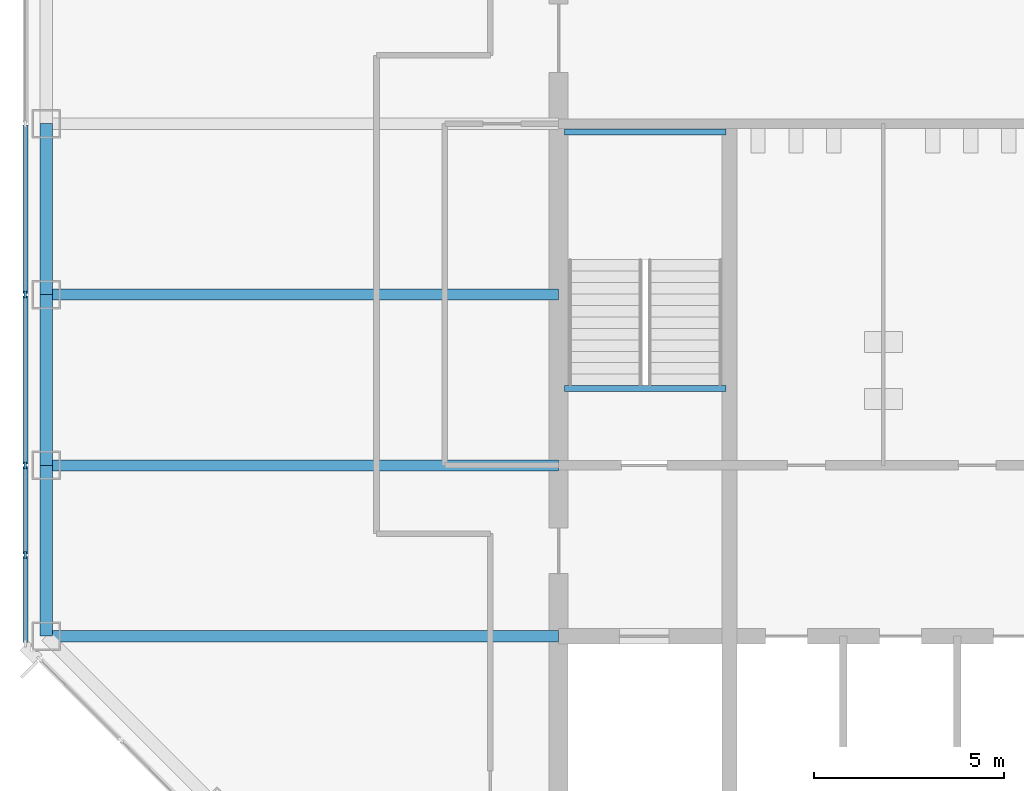
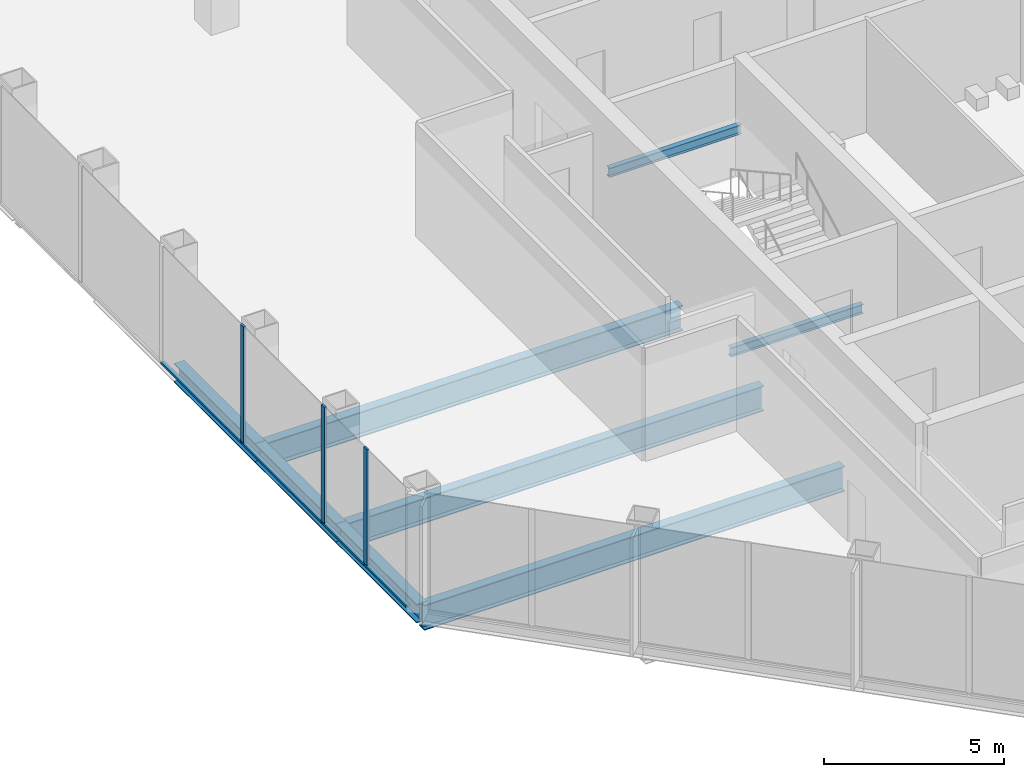
# One storey, part 3 of 12: 8 beams, 7 members, 1 element without a shape of its own.
"""IFC4 building model written with IfcOpenShell, lengths in metres."""

from ifc_helpers import new_model, si_unit, direction, frame, origin, origin_2d, place, context, subcontext, project, spatial, rectangle, i_section, extrude, material, material_profile, profile_set, type_object, element, aggregate, save


model = new_model("IFC4")

# Units and contexts
model_context = context("Model", 3, precision=1e-05, world=origin(), true_north=direction((0.0, 1.0)))
body_context = subcontext(model_context, "Body", "Model", "MODEL_VIEW")
ifc_project = project(units=[si_unit("LENGTHUNIT", "METRE"), si_unit("AREAUNIT", "SQUARE_METRE"), si_unit("VOLUMEUNIT", "CUBIC_METRE"), si_unit("PLANEANGLEUNIT", "RADIAN"), si_unit("MASSUNIT", "GRAM", prefix="KILO")], contexts=[model_context])

# Site, building, storey
site_placement = place(None, origin())
site = spatial("IfcSite", under=ifc_project, at=site_placement, CompositionType="ELEMENT")
building_placement = place(site_placement, origin())
building = spatial("IfcBuilding", under=site, at=building_placement, Name="Corais Broadcast Tower", CompositionType="ELEMENT")
storey_placement = place(building_placement, frame((0.0, 0.0, 135.60009765625)))
storey = spatial("IfcBuildingStorey", under=building, at=storey_placement, Name="L30", CompositionType="ELEMENT", Elevation=135.60009765625)

# Beams
ifc_material_1 = material(Name="Steel ASTM A572 Grade 50", Category="steel")
ifc_material_profile_1 = material_profile(ifc_material_1, i_section(OverallWidth=0.2939453125, OverallDepth=0.85107421875, WebThickness=0.01611328125, FlangeThickness=0.02685546875, at=origin_2d()), Name="W840x226")
ifc_profile_set_1 = profile_set([ifc_material_profile_1], Name="Steel ASTM A572 Grade 50")
beam_type_1 = type_object("IfcBeamType", Name="Floor beam W840x226", PredefinedType="BEAM", material=ifc_profile_set_1)
for number, where, z_axis, x_axis, name in (
    (1, (0.0, 18.0, -0.585693359375), (1.0, 0.0, 0.0), (0.0, 1.0, 0.0), "B1 E/3 to E/6"),
    (2, (0.0, 22.5, -0.585693359375), (1.0, 0.0, 0.0), (0.0, 1.0, 0.0), "B1 F/3 to F/6"),
    (3, (0.0, 27.0, -0.585693359375), (1.0, 0.0, 0.0), (0.0, 1.0, 0.0), "B1 G/3 to G/6"),
):
    element("IfcBeam", number, at=place(storey_placement, frame(where, z_axis=z_axis, x_axis=x_axis)), inside=storey, type_object=beam_type_1, Name=name, PredefinedType="BEAM", context=body_context, shape_type="SweptSolid", body=[
        extrude(i_section(OverallWidth=0.2939453125, OverallDepth=0.85107421875, WebThickness=0.01611328125, FlangeThickness=0.02685546875, at=origin_2d()), origin(), (0.0, 0.0, 1.0), 13.5),
    ])
ifc_material_2 = material(Name="Steel ASTM A572 Grade 50", Category="steel")
ifc_material_profile_2 = material_profile(ifc_material_2, i_section(OverallWidth=0.1650390625, OverallDepth=0.31005859375, WebThickness=0.005859375, FlangeThickness=0.009765625, at=origin_2d()), Name="W310x38.7")
ifc_profile_set_2 = profile_set([ifc_material_profile_2], Name="Steel ASTM A572 Grade 50")
beam_type_2 = type_object("IfcBeamType", Name="Landing trimmer W310x38.7", PredefinedType="BEAM", material=ifc_profile_set_2)
for number, where, z_axis, x_axis, name in (
    (4, (13.64990234375, 24.52490234375, -0.35498046875), (1.0, 0.0, 0.0), (0.0, 1.0, 0.0), "LT1 stair A landing trimmer L30"),
    (5, (13.64990234375, 31.284912109375, 1.64501953125), (1.0, 0.0, 0.0), (0.0, 1.0, 0.0), "LT1 stair A half landing trimmer L30"),
):
    element("IfcBeam", number, at=place(storey_placement, frame(where, z_axis=z_axis, x_axis=x_axis)), inside=storey, type_object=beam_type_2, Name=name, PredefinedType="BEAM", context=body_context, shape_type="SweptSolid", body=[
        extrude(i_section(OverallWidth=0.1650390625, OverallDepth=0.31005859375, WebThickness=0.005859375, FlangeThickness=0.009765625, at=origin_2d()), origin(), (0.0, 0.0, 1.0), 4.25),
    ])

# Curtain wall, members
ifc_material_3 = material(Name="Aluminium and glass", Category="aluminium")
curtain_wall_type = type_object("IfcCurtainWallType", Name="Unitised fritted curtain wall CW2", PredefinedType="NOTDEFINED", material=ifc_material_3)
curtain_wall_placement = place(storey_placement, origin())
curtain_wall = element("IfcCurtainWall", 6, at=curtain_wall_placement, inside=storey, type_object=curtain_wall_type, Name="CW2 curtain wall L30 2", PredefinedType="NOTDEFINED")
ifc_material_4 = material(Name="Aluminium 6063-T6", Category="aluminium")
ifc_material_profile_3 = material_profile(ifc_material_4, rectangle(XDim=0.06494140625, YDim=0.179931640625, at=origin_2d()), Name="Mullion CW2 65x180")
ifc_profile_set_3 = profile_set([ifc_material_profile_3], Name="Aluminium 6063-T6")
member_type_1 = type_object("IfcMemberType", Name="Mullion CW2 65x180", PredefinedType="MULLION", material=ifc_profile_set_3)
member_1_placement = place(storey_placement, frame((-0.550048828125, 20.135986328125, 0.0), z_axis=(0.0, 0.0, 1.0), x_axis=(-1.0, 0.0, 0.0)))
member_1 = element("IfcMember", 7, at=member_1_placement, type_object=member_type_1, Name="CW2 mullion 2", PredefinedType="MULLION", context=body_context, shape_type="SweptSolid", body=[
    extrude(rectangle(XDim=0.06494140625, YDim=0.179931640625, at=origin_2d()), origin(), (0.0, 0.0, 1.0), 4.0),
])
member_2_placement = place(storey_placement, frame((-0.550048828125, 22.5, 0.0), z_axis=(0.0, 0.0, 1.0), x_axis=(-1.0, 0.0, 0.0)))
member_2 = element("IfcMember", 8, at=member_2_placement, type_object=member_type_1, Name="CW2 mullion 3", PredefinedType="MULLION", context=body_context, shape_type="SweptSolid", body=[
    extrude(rectangle(XDim=0.06494140625, YDim=0.179931640625, at=origin_2d()), origin(), (0.0, 0.0, 1.0), 4.0),
])
member_3_placement = place(storey_placement, frame((-0.550048828125, 27.0, 0.0), z_axis=(0.0, 0.0, 1.0), x_axis=(-1.0, 0.0, 0.0)))
member_3 = element("IfcMember", 9, at=member_3_placement, type_object=member_type_1, Name="CW2 mullion 4", PredefinedType="MULLION", context=body_context, shape_type="SweptSolid", body=[
    extrude(rectangle(XDim=0.06494140625, YDim=0.179931640625, at=origin_2d()), origin(), (0.0, 0.0, 1.0), 4.0),
])

# Beams
ifc_material_5 = material(Name="Steel ASTM A572 Grade 50", Category="steel")
ifc_material_profile_4 = material_profile(ifc_material_5, i_section(OverallWidth=0.3291015625, OverallDepth=0.635009765625, WebThickness=0.017822265625, FlangeThickness=0.031005859375, at=origin_2d()), Name="W610x241")
ifc_profile_set_4 = profile_set([ifc_material_profile_4], Name="Steel ASTM A572 Grade 50")
beam_type_3 = type_object("IfcBeamType", Name="Spandrel W610x241", PredefinedType="BEAM", material=ifc_profile_set_4)
for number, where, z_axis, x_axis, name in (
    (10, (0.0, 22.5, -0.4775390625), (0.0, -1.0, 0.0), (1.0, 0.0, 0.0), "SB1 F/3 to E/3"),
    (11, (0.0, 27.0, -0.4775390625), (0.0, -1.0, 0.0), (1.0, 0.0, 0.0), "SB1 G/3 to F/3"),
    (12, (0.0, 31.5, -0.4775390625), (0.0, -1.0, 0.0), (1.0, 0.0, 0.0), "SB1 H/3 to G/3"),
):
    element("IfcBeam", number, at=place(storey_placement, frame(where, z_axis=z_axis, x_axis=x_axis)), inside=storey, type_object=beam_type_3, Name=name, PredefinedType="BEAM", context=body_context, shape_type="SweptSolid", body=[
        extrude(i_section(OverallWidth=0.3291015625, OverallDepth=0.635009765625, WebThickness=0.017822265625, FlangeThickness=0.031005859375, at=origin_2d()), origin(), (0.0, 0.0, 1.0), 4.5),
    ])

# Member
ifc_material_6 = material(Name="Aluminium 6063-T6", Category="aluminium")
ifc_material_profile_5 = material_profile(ifc_material_6, rectangle(XDim=0.1298828125, YDim=0.06494140625, at=origin_2d()), Name="Transom CW2 65x130")
ifc_profile_set_5 = profile_set([ifc_material_profile_5], Name="Aluminium 6063-T6")
member_type_2 = type_object("IfcMemberType", Name="Transom CW2 65x130", PredefinedType="USERDEFINED", material=ifc_profile_set_5)
member_4_placement = place(storey_placement, frame((-0.550048828125, 17.837158203125, 0.032470703125), z_axis=(0.0, 1.0, 0.0), x_axis=(-1.0, 0.0, 0.0)))
member_4 = element("IfcMember", 13, at=member_4_placement, type_object=member_type_2, Name="CW2 transom 1.1", ObjectType="TRANSOM", PredefinedType="USERDEFINED", context=body_context, shape_type="SweptSolid", body=[
    extrude(rectangle(XDim=0.1298828125, YDim=0.06494140625, at=origin_2d()), origin(), (0.0, 0.0, 1.0), 2.266357421875),
])

member_5_placement = place(storey_placement, frame((-0.550048828125, 20.168701171875, 0.032470703125), z_axis=(0.0, 1.0, 0.0), x_axis=(-1.0, 0.0, 0.0)))
member_5 = element("IfcMember", 14, at=member_5_placement, type_object=member_type_2, Name="CW2 transom 2.1", ObjectType="TRANSOM", PredefinedType="USERDEFINED", context=body_context, shape_type="SweptSolid", body=[
    extrude(rectangle(XDim=0.1298828125, YDim=0.06494140625, at=origin_2d()), origin(), (0.0, 0.0, 1.0), 2.298828125),
])

member_6_placement = place(storey_placement, frame((-0.550048828125, 22.532470703125, 0.032470703125), z_axis=(0.0, 1.0, 0.0), x_axis=(-1.0, 0.0, 0.0)))
member_6 = element("IfcMember", 15, at=member_6_placement, type_object=member_type_2, Name="CW2 transom 3.1", ObjectType="TRANSOM", PredefinedType="USERDEFINED", context=body_context, shape_type="SweptSolid", body=[
    extrude(rectangle(XDim=0.1298828125, YDim=0.06494140625, at=origin_2d()), origin(), (0.0, 0.0, 1.0), 4.43505859375),
])

member_7_placement = place(storey_placement, frame((-0.550048828125, 27.032470703125, 0.032470703125), z_axis=(0.0, 1.0, 0.0), x_axis=(-1.0, 0.0, 0.0)))
member_7 = element("IfcMember", 16, at=member_7_placement, type_object=member_type_2, Name="CW2 transom 4.1", ObjectType="TRANSOM", PredefinedType="USERDEFINED", context=body_context, shape_type="SweptSolid", body=[
    extrude(rectangle(XDim=0.1298828125, YDim=0.06494140625, at=origin_2d()), origin(), (0.0, 0.0, 1.0), 4.43505859375),
])

aggregate(curtain_wall, [member_1, member_2, member_3, member_4, member_5, member_6, member_7])

save(model, "model.ifc")
